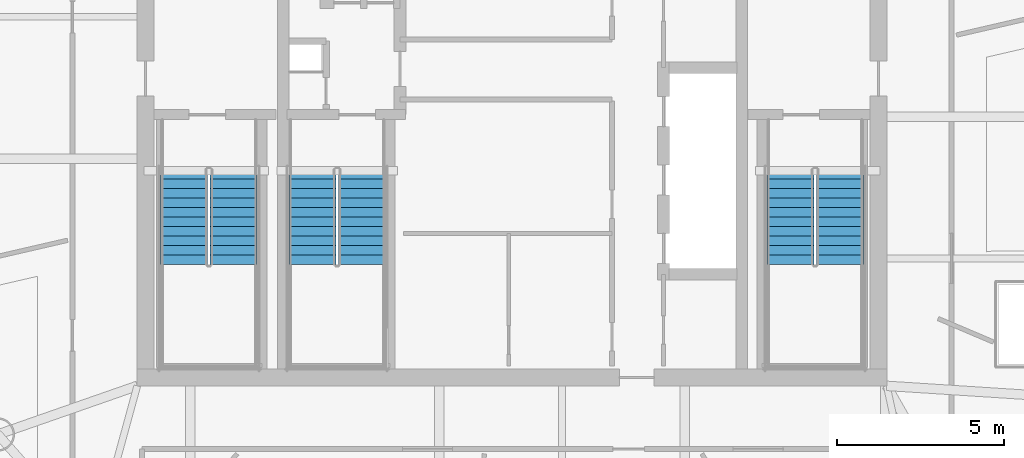
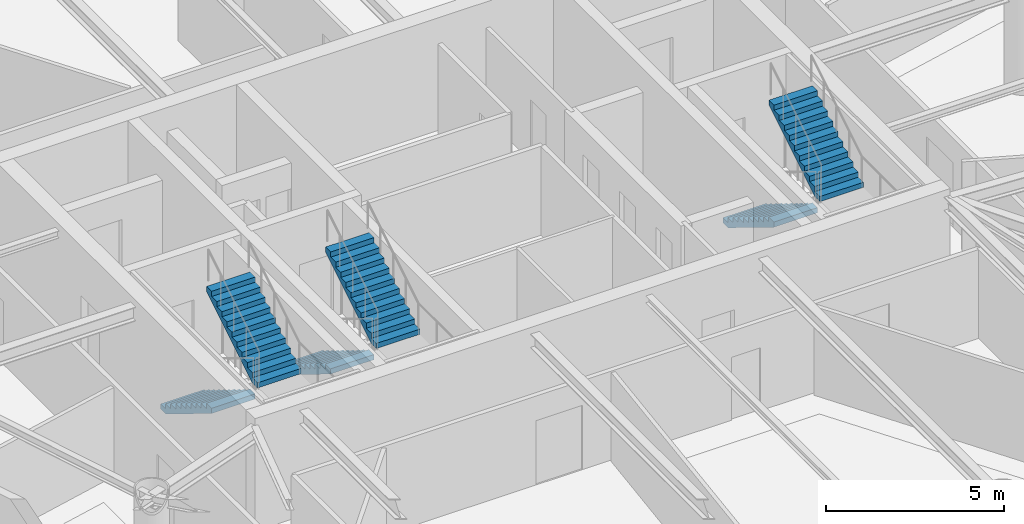
# One storey, part 17 of 20: 6 stair flights, 3 elements without a shape of their own.
"""IFC4 building model written with IfcOpenShell, lengths in metres."""

import ifcopenshell
import ifcopenshell.guid

model = None  # the IFC model being written
_history = None  # IfcOwnerHistory: only IFC2X3 demands one
_inside = {}  # id of a spatial element -> (the spatial element, [elements in it])
_under = {}  # id of a project, library or spatial element -> (it, [spatial elements below it])
_declared = {}  # id of a project -> (the project, [libraries it declares])
_typed = {}  # id of a type object -> (the type object, [elements of that type])
_made_of = {}  # id of a material, layer set ... -> (it, [elements and type objects made of it])


def new_model(schema):
    """Start an empty IFC model of exactly this schema.

    Asked for "IFC4X3", IfcOpenShell would pick the latest addendum, in which some entities
    have other attributes; the version numbers below select the first issue.
    IFC2X3 requires an IfcOwnerHistory on every rooted entity: one is made here for all.
    """
    global model, _history
    if schema == "IFC4X3":
        model = ifcopenshell.file(schema_version=(4, 3, 0, 0))
    else:
        model = ifcopenshell.file(schema=schema)
    _inside.clear()
    _under.clear()
    _declared.clear()
    _typed.clear()
    _made_of.clear()
    _history = None
    if model.schema == "IFC2X3":
        org = make("IfcOrganization", Name="unknown")
        user = make(
            "IfcPersonAndOrganization",
            ThePerson=make("IfcPerson", FamilyName="unknown"),
            TheOrganization=org,
        )
        app = make(
            "IfcApplication",
            ApplicationDeveloper=org,
            Version="unknown",
            ApplicationFullName="unknown",
            ApplicationIdentifier="unknown",
        )
        _history = make(
            "IfcOwnerHistory",
            OwningUser=user,
            OwningApplication=app,
            ChangeAction="ADDED",
            CreationDate=0,
        )
    return model


def make(cls, **values):
    """One entity of the class cls with the attributes given. An attribute that is None is left unset."""
    return model.create_entity(
        cls, **{name: value for name, value in values.items() if value is not None}
    )


def rooted(cls, **values):
    """An entity with a GlobalId (a new one), such as an element, a storey or a relation."""
    return make(cls, GlobalId=ifcopenshell.guid.new(), OwnerHistory=_history, **values)


def si_unit(unit_type, name, prefix=None):
    """IfcSIUnit, for example si_unit("LENGTHUNIT", "METRE", prefix="MILLI")."""
    return make("IfcSIUnit", UnitType=unit_type, Prefix=prefix, Name=name)


def assignment(units):
    """IfcUnitAssignment: the units of a project."""
    return None if units is None else make("IfcUnitAssignment", Units=units)


def point(xyz):
    """IfcCartesianPoint."""
    return None if xyz is None else make("IfcCartesianPoint", Coordinates=xyz)


def direction(xyz):
    """IfcDirection."""
    return None if xyz is None else make("IfcDirection", DirectionRatios=xyz)


def frame(location, z_axis=None, x_axis=None):
    """IfcAxis2Placement3D, a coordinate frame: its origin and axes. An axis left out is left unset."""
    return make(
        "IfcAxis2Placement3D",
        Location=point(location),
        Axis=direction(z_axis),
        RefDirection=direction(x_axis),
    )


def origin():
    """The frame at (0, 0, 0) with its axes left unset."""
    return frame((0.0, 0.0, 0.0))


def place(relative_to, where):
    """IfcLocalPlacement: puts the frame where relative to a parent placement (None: the world)."""
    return make(
        "IfcLocalPlacement", PlacementRelTo=relative_to, RelativePlacement=where
    )


def context(
    kind, dimensions, precision=None, world=None, true_north=None, identifier=None
):
    """IfcGeometricRepresentationContext, for example the 3D "Model" context."""
    return make(
        "IfcGeometricRepresentationContext",
        ContextIdentifier=identifier,
        ContextType=kind,
        CoordinateSpaceDimension=dimensions,
        Precision=precision,
        WorldCoordinateSystem=world,
        TrueNorth=true_north,
    )


def subcontext(parent, identifier, kind, view, scale=None):
    """IfcGeometricRepresentationSubContext, for example "Body" below "Model"."""
    return make(
        "IfcGeometricRepresentationSubContext",
        ContextIdentifier=identifier,
        ContextType=kind,
        ParentContext=parent,
        TargetScale=scale,
        TargetView=view,
    )


def project(units=None, contexts=None):
    """IfcProject with its units and contexts."""
    return rooted(
        "IfcProject",
        Name="project",
        RepresentationContexts=contexts,
        UnitsInContext=assignment(units),
    )


def spatial(cls, under=None, at=None, **own):
    """A site, building, storey or space (cls), placed at a placement, below another one or the project."""
    s = rooted(cls, ObjectPlacement=at, **own)
    if under is not None:
        _under.setdefault(under.id(), (under, []))[1].append(s)
    return s


def polyline(points):
    """IfcPolyline through the points."""
    return make("IfcPolyline", Points=[point(p) for p in points])


def outline(outer, holes=None, kind="AREA"):
    """IfcArbitraryClosedProfileDef: a profile drawn as a closed curve; with holes, ...WithVoids."""
    if holes is None:
        return make("IfcArbitraryClosedProfileDef", ProfileType=kind, OuterCurve=outer)
    return make(
        "IfcArbitraryProfileDefWithVoids",
        ProfileType=kind,
        OuterCurve=outer,
        InnerCurves=holes,
    )


def extrude(swept, where, along, depth):
    """IfcExtrudedAreaSolid: the profile swept, set in the frame where, extruded along a direction by depth."""
    return make(
        "IfcExtrudedAreaSolid",
        SweptArea=swept,
        Position=where,
        ExtrudedDirection=direction(along),
        Depth=depth,
    )


def shape(context_of_items, identifier, shape_type, items):
    """IfcShapeRepresentation: the items that make up one representation, for example the "Body"."""
    return make(
        "IfcShapeRepresentation",
        ContextOfItems=context_of_items,
        RepresentationIdentifier=identifier,
        RepresentationType=shape_type,
        Items=items,
    )


def material(Name=None, Category=None):
    """IfcMaterial."""
    return make("IfcMaterial", Name=Name, Category=Category)


def made_of(thing, what):
    """Note that an element or type object is made of a material, layer set ...; save() writes the relation."""
    if what is not None:
        _made_of.setdefault(what.id(), (what, []))[1].append(thing)
    return thing


def type_object(cls, material=None, **own):
    """A type object (cls), such as IfcWallType, which elements share."""
    return made_of(rooted(cls, **own), material)


def element(
    cls,
    number,
    at=None,
    inside=None,
    cuts=None,
    type_object=None,
    material=None,
    context=None,
    identifier="Body",
    shape_type=None,
    held_by="IfcProductDefinitionShape",
    body=None,
    shapes=None,
    **own,
):
    """One element of the class cls, such as IfcWall. Its Tag is "e" and its number.

    at: its placement. inside: the storey or other place that contains it. cuts: it is an
    opening in that element (IfcRelVoidsElement). A single representation is given by context,
    identifier, shape_type and body (its items); several are given by shapes. held_by: the class
    of the entity that holds the representations. save() writes the other relations.
    """
    e = rooted(cls, Tag="e%d" % number, ObjectPlacement=at, **own)
    if body is not None:
        shapes = [shape(context, identifier, shape_type, body)]
    if shapes is not None:
        e.Representation = make(held_by, Representations=shapes)
    if inside is not None:
        _inside.setdefault(inside.id(), (inside, []))[1].append(e)
    if cuts is not None:
        rooted(
            "IfcRelVoidsElement", RelatingBuildingElement=cuts, RelatedOpeningElement=e
        )
    if type_object is not None:
        _typed.setdefault(type_object.id(), (type_object, []))[1].append(e)
    return made_of(e, material)


def aggregate(whole, parts):
    """IfcRelAggregates: a whole, such as a stair, and the parts it consists of."""
    return rooted("IfcRelAggregates", RelatingObject=whole, RelatedObjects=parts)


def save(model, path):
    """Write the relations noted so far, then the file.

    IfcRelAggregates (storeys below a building ...), IfcRelContainedInSpatialStructure (elements
    in a storey), IfcRelDefinesByType, IfcRelAssociatesMaterial and IfcRelDeclares: one each for
    every whole, place, type object, material and project.
    """
    for whole, parts in _under.values():
        aggregate(whole, parts)
    for where, things in _inside.values():
        rooted(
            "IfcRelContainedInSpatialStructure",
            RelatedElements=things,
            RelatingStructure=where,
        )
    for kind, things in _typed.values():
        rooted("IfcRelDefinesByType", RelatedObjects=things, RelatingType=kind)
    for what, things in _made_of.values():
        rooted("IfcRelAssociatesMaterial", RelatedObjects=things, RelatingMaterial=what)
    for by, libraries in _declared.values():
        rooted("IfcRelDeclares", RelatingContext=by, RelatedDefinitions=libraries)
    model.write(path)


model = new_model("IFC4")

# Units and contexts
model_context = context("Model", 3, precision=1e-05, world=origin(), true_north=direction((0.0, 1.0)))
body_context = subcontext(model_context, "Body", "Model", "MODEL_VIEW")
ifc_project = project(units=[si_unit("LENGTHUNIT", "METRE"), si_unit("AREAUNIT", "SQUARE_METRE"), si_unit("VOLUMEUNIT", "CUBIC_METRE"), si_unit("PLANEANGLEUNIT", "RADIAN"), si_unit("MASSUNIT", "GRAM", prefix="KILO")], contexts=[model_context])

# Site, building, storey
site_placement = place(None, origin())
site = spatial("IfcSite", under=ifc_project, at=site_placement, CompositionType="ELEMENT")
building_placement = place(site_placement, origin())
building = spatial("IfcBuilding", under=site, at=building_placement, Name="Bramvorn Convention Spire", CompositionType="ELEMENT")
storey_placement = place(building_placement, frame((0.0, 0.0, 284.39990234375)))
storey = spatial("IfcBuildingStorey", under=building, at=storey_placement, Name="L72", CompositionType="ELEMENT", Elevation=284.39990234375)

# Stair, stair flights
ifc_material_1 = material(Name="Concrete C40/50 Precast Stair", Category="concrete")
stair_type = type_object("IfcStairType", Name="ST-TOWER-1550", PredefinedType="HALF_TURN_STAIR", material=ifc_material_1)
stair_1_placement = place(storey_placement, origin())
stair_1 = element("IfcStair", 1, at=stair_1_placement, inside=storey, type_object=stair_type, Name="L72 Protected Exit Stair ST1", PredefinedType="HALF_TURN_STAIR")
ifc_material_2 = material(Name="Concrete C40/50 Precast Stair Flight", Category="concrete")
stair_flight_type = type_object("IfcStairFlightType", Name="STF-TOWER-1550", PredefinedType="STRAIGHT", material=ifc_material_2)
stair_flight_1_placement = place(storey_placement, frame((28.155029296875, 25.050048828125, 0.0), z_axis=(0.0, 0.0, 1.0), x_axis=(0.0, -1.0, 0.0)))
stair_flight_1 = element("IfcStairFlight", 2, at=stair_flight_1_placement, type_object=stair_flight_type, Name="ST1 flight 1", NumberOfRisers=11, NumberOfTreads=10, PredefinedType="STRAIGHT", RiserHeight=0.175, TreadLength=0.285, context=body_context, shape_type="SweptSolid", body=[
    extrude(outline(polyline([(0.0, 0.0), (0.0, 0.175048828125), (0.284912109375, 0.175048828125), (0.284912109375, 0.35009765625), (0.570068359375, 0.35009765625), (0.570068359375, 0.52490234375), (0.85498046875, 0.52490234375), (0.85498046875, 0.699951171875), (1.139892578125, 0.699951171875), (1.139892578125, 0.875), (1.425048828125, 0.875), (1.425048828125, 1.050048828125), (1.7099609375, 1.050048828125), (1.7099609375, 1.22509765625), (1.9951171875, 1.22509765625), (1.9951171875, 1.39990234375), (2.280029296875, 1.39990234375), (2.280029296875, 1.574951171875), (2.56494140625, 1.574951171875), (2.56494140625, 1.75), (2.85009765625, 1.75), (2.85009765625, 1.925048828125), (2.85009765625, 1.573974609375), (0.286376953125, 0.0), (0.0, 0.0)])), frame((0.0, 0.705078125, 0.0), z_axis=(0.0, -1.0, 0.0), x_axis=(1.0, 0.0, 0.0)), (0.0, 0.0, 1.0), 1.409912109375),
])
stair_flight_2_placement = place(storey_placement, frame((29.64501953125, 22.199951171875, 1.925048828125), z_axis=(0.0, 0.0, 1.0), x_axis=(0.0, 1.0, 0.0)))
stair_flight_2 = element("IfcStairFlight", 3, at=stair_flight_2_placement, type_object=stair_flight_type, Name="ST1 flight 2", NumberOfRisers=11, NumberOfTreads=10, PredefinedType="STRAIGHT", RiserHeight=0.175, TreadLength=0.285, context=body_context, shape_type="SweptSolid", body=[
    extrude(outline(polyline([(0.0, 0.0), (0.0, 0.175048828125), (0.284912109375, 0.175048828125), (0.284912109375, 0.35009765625), (0.570068359375, 0.35009765625), (0.570068359375, 0.52490234375), (0.85498046875, 0.52490234375), (0.85498046875, 0.699951171875), (1.139892578125, 0.699951171875), (1.139892578125, 0.875), (1.425048828125, 0.875), (1.425048828125, 1.050048828125), (1.7099609375, 1.050048828125), (1.7099609375, 1.22509765625), (1.9951171875, 1.22509765625), (1.9951171875, 1.39990234375), (2.280029296875, 1.39990234375), (2.280029296875, 1.574951171875), (2.56494140625, 1.574951171875), (2.56494140625, 1.75), (2.85009765625, 1.75), (2.85009765625, 1.925048828125), (2.85009765625, 1.573974609375), (0.286376953125, 0.0), (0.0, 0.0)])), frame((0.0, 0.705078125, 0.0), z_axis=(0.0, -1.0, 0.0), x_axis=(1.0, 0.0, 0.0)), (0.0, 0.0, 1.0), 1.409912109375),
])
aggregate(stair_1, [stair_flight_1, stair_flight_2])

stair_2_placement = place(storey_placement, origin())
stair_2 = element("IfcStair", 4, at=stair_2_placement, inside=storey, type_object=stair_type, Name="L72 Protected Exit Stair ST2", PredefinedType="HALF_TURN_STAIR")
stair_flight_3_placement = place(storey_placement, frame((46.35498046875, 25.050048828125, 0.0), z_axis=(0.0, 0.0, 1.0), x_axis=(0.0, -1.0, 0.0)))
stair_flight_3 = element("IfcStairFlight", 5, at=stair_flight_3_placement, type_object=stair_flight_type, Name="ST2 flight 1", NumberOfRisers=11, NumberOfTreads=10, PredefinedType="STRAIGHT", RiserHeight=0.175, TreadLength=0.285, context=body_context, shape_type="SweptSolid", body=[
    extrude(outline(polyline([(0.0, 0.0), (0.0, 0.175048828125), (0.284912109375, 0.175048828125), (0.284912109375, 0.35009765625), (0.570068359375, 0.35009765625), (0.570068359375, 0.52490234375), (0.85498046875, 0.52490234375), (0.85498046875, 0.699951171875), (1.139892578125, 0.699951171875), (1.139892578125, 0.875), (1.425048828125, 0.875), (1.425048828125, 1.050048828125), (1.7099609375, 1.050048828125), (1.7099609375, 1.22509765625), (1.9951171875, 1.22509765625), (1.9951171875, 1.39990234375), (2.280029296875, 1.39990234375), (2.280029296875, 1.574951171875), (2.56494140625, 1.574951171875), (2.56494140625, 1.75), (2.85009765625, 1.75), (2.85009765625, 1.925048828125), (2.85009765625, 1.573974609375), (0.286376953125, 0.0), (0.0, 0.0)])), frame((0.0, 0.705078125, 0.0), z_axis=(0.0, -1.0, 0.0), x_axis=(1.0, 0.0, 0.0)), (0.0, 0.0, 1.0), 1.409912109375),
])
stair_flight_4_placement = place(storey_placement, frame((47.844970703125, 22.199951171875, 1.925048828125), z_axis=(0.0, 0.0, 1.0), x_axis=(0.0, 1.0, 0.0)))
stair_flight_4 = element("IfcStairFlight", 6, at=stair_flight_4_placement, type_object=stair_flight_type, Name="ST2 flight 2", NumberOfRisers=11, NumberOfTreads=10, PredefinedType="STRAIGHT", RiserHeight=0.175, TreadLength=0.285, context=body_context, shape_type="SweptSolid", body=[
    extrude(outline(polyline([(0.0, 0.0), (0.0, 0.175048828125), (0.284912109375, 0.175048828125), (0.284912109375, 0.35009765625), (0.570068359375, 0.35009765625), (0.570068359375, 0.52490234375), (0.85498046875, 0.52490234375), (0.85498046875, 0.699951171875), (1.139892578125, 0.699951171875), (1.139892578125, 0.875), (1.425048828125, 0.875), (1.425048828125, 1.050048828125), (1.7099609375, 1.050048828125), (1.7099609375, 1.22509765625), (1.9951171875, 1.22509765625), (1.9951171875, 1.39990234375), (2.280029296875, 1.39990234375), (2.280029296875, 1.574951171875), (2.56494140625, 1.574951171875), (2.56494140625, 1.75), (2.85009765625, 1.75), (2.85009765625, 1.925048828125), (2.85009765625, 1.573974609375), (0.286376953125, 0.0), (0.0, 0.0)])), frame((0.0, 0.705078125, 0.0), z_axis=(0.0, -1.0, 0.0), x_axis=(1.0, 0.0, 0.0)), (0.0, 0.0, 1.0), 1.409912109375),
])
aggregate(stair_2, [stair_flight_3, stair_flight_4])

stair_3_placement = place(storey_placement, origin())
stair_3 = element("IfcStair", 7, at=stair_3_placement, inside=storey, type_object=stair_type, Name="L72 Protected Exit Stair ST3", PredefinedType="HALF_TURN_STAIR")
stair_flight_5_placement = place(storey_placement, frame((32.0048828125, 25.050048828125, 0.0), z_axis=(0.0, 0.0, 1.0), x_axis=(0.0, -1.0, 0.0)))
stair_flight_5 = element("IfcStairFlight", 8, at=stair_flight_5_placement, type_object=stair_flight_type, Name="ST3 flight 1", NumberOfRisers=11, NumberOfTreads=10, PredefinedType="STRAIGHT", RiserHeight=0.175, TreadLength=0.285, context=body_context, shape_type="SweptSolid", body=[
    extrude(outline(polyline([(0.0, 0.0), (0.0, 0.175048828125), (0.284912109375, 0.175048828125), (0.284912109375, 0.35009765625), (0.570068359375, 0.35009765625), (0.570068359375, 0.52490234375), (0.85498046875, 0.52490234375), (0.85498046875, 0.699951171875), (1.139892578125, 0.699951171875), (1.139892578125, 0.875), (1.425048828125, 0.875), (1.425048828125, 1.050048828125), (1.7099609375, 1.050048828125), (1.7099609375, 1.22509765625), (1.9951171875, 1.22509765625), (1.9951171875, 1.39990234375), (2.280029296875, 1.39990234375), (2.280029296875, 1.574951171875), (2.56494140625, 1.574951171875), (2.56494140625, 1.75), (2.85009765625, 1.75), (2.85009765625, 1.925048828125), (2.85009765625, 1.573974609375), (0.286376953125, 0.0), (0.0, 0.0)])), frame((0.0, 0.705078125, 0.0), z_axis=(0.0, -1.0, 0.0), x_axis=(1.0, 0.0, 0.0)), (0.0, 0.0, 1.0), 1.409912109375),
])
stair_flight_6_placement = place(storey_placement, frame((33.4951171875, 22.199951171875, 1.925048828125), z_axis=(0.0, 0.0, 1.0), x_axis=(0.0, 1.0, 0.0)))
stair_flight_6 = element("IfcStairFlight", 9, at=stair_flight_6_placement, type_object=stair_flight_type, Name="ST3 flight 2", NumberOfRisers=11, NumberOfTreads=10, PredefinedType="STRAIGHT", RiserHeight=0.175, TreadLength=0.285, context=body_context, shape_type="SweptSolid", body=[
    extrude(outline(polyline([(0.0, 0.0), (0.0, 0.175048828125), (0.284912109375, 0.175048828125), (0.284912109375, 0.35009765625), (0.570068359375, 0.35009765625), (0.570068359375, 0.52490234375), (0.85498046875, 0.52490234375), (0.85498046875, 0.699951171875), (1.139892578125, 0.699951171875), (1.139892578125, 0.875), (1.425048828125, 0.875), (1.425048828125, 1.050048828125), (1.7099609375, 1.050048828125), (1.7099609375, 1.22509765625), (1.9951171875, 1.22509765625), (1.9951171875, 1.39990234375), (2.280029296875, 1.39990234375), (2.280029296875, 1.574951171875), (2.56494140625, 1.574951171875), (2.56494140625, 1.75), (2.85009765625, 1.75), (2.85009765625, 1.925048828125), (2.85009765625, 1.573974609375), (0.286376953125, 0.0), (0.0, 0.0)])), frame((0.0, 0.705078125, 0.0), z_axis=(0.0, -1.0, 0.0), x_axis=(1.0, 0.0, 0.0)), (0.0, 0.0, 1.0), 1.409912109375),
])
aggregate(stair_3, [stair_flight_5, stair_flight_6])

save(model, "model.ifc")
